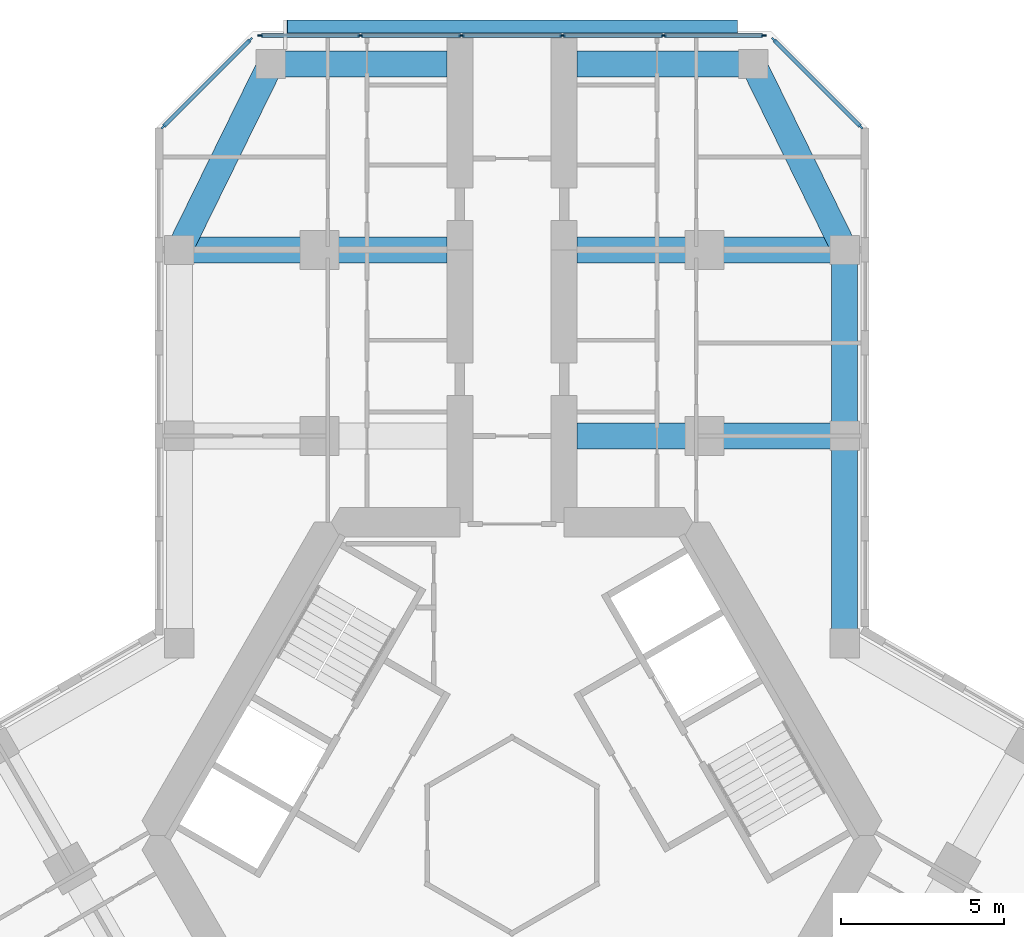
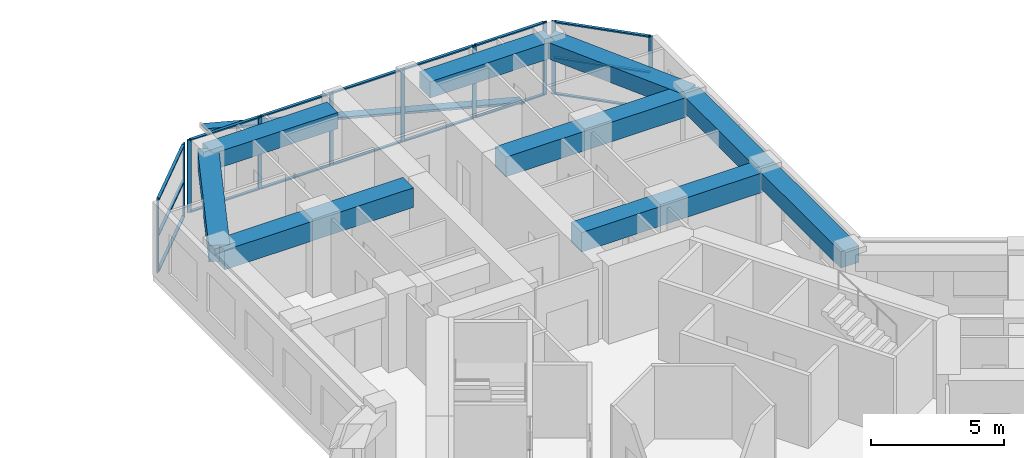
# One storey, part 7 of 20: 27 members, 9 beams, 3 elements without a shape of their own.
"""IFC4 building model written with IfcOpenShell, lengths in metres."""

from ifc_helpers import new_model, si_unit, direction, frame, origin, origin_2d, place, context, subcontext, project, spatial, rectangle, extrude, material, material_profile, profile_set, type_object, element, aggregate, save


model = new_model("IFC4")

# Units and contexts
model_context = context("Model", 3, precision=1e-05, world=origin(), true_north=direction((0.0, 1.0)))
body_context = subcontext(model_context, "Body", "Model", "MODEL_VIEW")
ifc_project = project(units=[si_unit("LENGTHUNIT", "METRE"), si_unit("AREAUNIT", "SQUARE_METRE"), si_unit("VOLUMEUNIT", "CUBIC_METRE"), si_unit("PLANEANGLEUNIT", "RADIAN"), si_unit("MASSUNIT", "GRAM", prefix="KILO")], contexts=[model_context])

# Site, building, storey
site_placement = place(None, origin())
site = spatial("IfcSite", under=ifc_project, at=site_placement, CompositionType="ELEMENT")
building_placement = place(site_placement, origin())
building = spatial("IfcBuilding", under=site, at=building_placement, Name="Kosmar Iwan School Tower", CompositionType="ELEMENT")
storey_placement = place(building_placement, frame((0.0, 0.0, 176.0)))
storey = spatial("IfcBuildingStorey", under=building, at=storey_placement, Name="L44", CompositionType="ELEMENT", Elevation=176.0)

# Member
ifc_material_1 = material(Name="Black anodised aluminium", Category="aluminium")
ifc_material_profile_1 = material_profile(ifc_material_1, rectangle(XDim=0.10009765625, YDim=0.39990234375, at=origin_2d()), Name="FIN 100x400")
ifc_profile_set_1 = profile_set([ifc_material_profile_1], Name="Black anodised aluminium")
member_type_1 = type_object("IfcMemberType", Name="Diagonal fin 100x400", PredefinedType="USERDEFINED", material=ifc_profile_set_1)
member_1_placement = place(storey_placement, frame((6.898193359375, 24.800048828125, -0.14990234375), z_axis=(-0.967603633438, 0.0, 0.252474174041), x_axis=(0.252474174041, 0.0, 0.967603633438)))
element("IfcMember", 1, at=member_1_placement, inside=storey, type_object=member_type_1, Name="Diagonal fin L44-F08", ObjectType="FIN", PredefinedType="USERDEFINED", context=body_context, shape_type="SweptSolid", body=[
    extrude(rectangle(XDim=0.10009765625, YDim=0.39990234375, at=origin_2d()), origin(), (0.0, 0.0, 1.0), 14.25830078125),
])

# Curtain wall, members
ifc_material_2 = material(Name="Dark glass in black aluminium frame", Category="aluminium")
curtain_wall_type_1 = type_object("IfcCurtainWallType", Name="Chamfer curtain wall dark glass", PredefinedType="USERDEFINED", material=ifc_material_2)
curtain_wall_1_placement = place(storey_placement, origin())
curtain_wall_1 = element("IfcCurtainWall", 2, at=curtain_wall_1_placement, inside=storey, type_object=curtain_wall_type_1, Name="Curtain wall L44-F07", ObjectType="FACETED CURTAIN WALL", PredefinedType="USERDEFINED")
ifc_material_3 = material(Name="Black anodised aluminium", Category="aluminium")
ifc_material_profile_2 = material_profile(ifc_material_3, rectangle(XDim=0.06005859375, YDim=0.159912109375, at=origin_2d()), Name="MULLION 60x160")
ifc_profile_set_2 = profile_set([ifc_material_profile_2], Name="Black anodised aluminium")
member_type_2 = type_object("IfcMemberType", Name="Mullion 60x160", PredefinedType="MULLION", material=ifc_profile_set_2)
member_2_placement = place(storey_placement, frame((10.69775390625, 21.7255859375, 0.0), z_axis=(0.0, 0.0, 1.0), x_axis=(-0.707106781187, -0.707106781187, 0.0)))
member_2 = element("IfcMember", 3, at=member_2_placement, type_object=member_type_2, Name="CW2 mullion 1", PredefinedType="MULLION", context=body_context, shape_type="SweptSolid", body=[
    extrude(rectangle(XDim=0.06005859375, YDim=0.159912109375, at=origin_2d()), origin(), (0.0, 0.0, 1.0), 3.35009765625),
])
member_3_placement = place(storey_placement, frame((8.025390625, 24.397705078125, 0.0), z_axis=(0.0, 0.0, 1.0), x_axis=(-0.707106781187, -0.707106781187, 0.0)))
member_3 = element("IfcMember", 4, at=member_3_placement, type_object=member_type_2, Name="CW2 mullion 2", PredefinedType="MULLION", context=body_context, shape_type="SweptSolid", body=[
    extrude(rectangle(XDim=0.06005859375, YDim=0.159912109375, at=origin_2d()), origin(), (0.0, 0.0, 1.0), 3.35009765625),
])

ifc_material_4 = material(Name="Dark glass in black aluminium frame", Category="aluminium")
curtain_wall_type_2 = type_object("IfcCurtainWallType", Name="Tower curtain wall dark glass", PredefinedType="USERDEFINED", material=ifc_material_4)
curtain_wall_2_placement = place(storey_placement, origin())
curtain_wall_2 = element("IfcCurtainWall", 5, at=curtain_wall_2_placement, inside=storey, type_object=curtain_wall_type_2, Name="Curtain wall L44-F08", ObjectType="UNITISED CURTAIN WALL", PredefinedType="USERDEFINED")
member_4_placement = place(storey_placement, frame((7.71826171875, 24.52490234375, 0.0), z_axis=(0.0, 0.0, 1.0), x_axis=(0.0, -1.0, 0.0)))
member_4 = element("IfcMember", 6, at=member_4_placement, type_object=member_type_2, Name="CW1 mullion 1", PredefinedType="MULLION", context=body_context, shape_type="SweptSolid", body=[
    extrude(rectangle(XDim=0.06005859375, YDim=0.159912109375, at=origin_2d()), origin(), (0.0, 0.0, 1.0), 3.35009765625),
])
member_5_placement = place(storey_placement, frame((4.64892578125, 24.52490234375, 0.0), z_axis=(0.0, 0.0, 1.0), x_axis=(0.0, -1.0, 0.0)))
member_5 = element("IfcMember", 7, at=member_5_placement, type_object=member_type_2, Name="CW1 mullion 2", PredefinedType="MULLION", context=body_context, shape_type="SweptSolid", body=[
    extrude(rectangle(XDim=0.06005859375, YDim=0.159912109375, at=origin_2d()), origin(), (0.0, 0.0, 1.0), 3.35009765625),
])
member_6_placement = place(storey_placement, frame((1.549560546875, 24.52490234375, 0.0), z_axis=(0.0, 0.0, 1.0), x_axis=(0.0, -1.0, 0.0)))
member_6 = element("IfcMember", 8, at=member_6_placement, type_object=member_type_2, Name="CW1 mullion 3", PredefinedType="MULLION", context=body_context, shape_type="SweptSolid", body=[
    extrude(rectangle(XDim=0.06005859375, YDim=0.159912109375, at=origin_2d()), origin(), (0.0, 0.0, 1.0), 3.35009765625),
])
member_7_placement = place(storey_placement, frame((-1.549560546875, 24.52490234375, 0.0), z_axis=(0.0, 0.0, 1.0), x_axis=(0.0, -1.0, 0.0)))
member_7 = element("IfcMember", 9, at=member_7_placement, type_object=member_type_2, Name="CW1 mullion 4", PredefinedType="MULLION", context=body_context, shape_type="SweptSolid", body=[
    extrude(rectangle(XDim=0.06005859375, YDim=0.159912109375, at=origin_2d()), origin(), (0.0, 0.0, 1.0), 3.35009765625),
])
member_8_placement = place(storey_placement, frame((-4.64892578125, 24.52490234375, 0.0), z_axis=(0.0, 0.0, 1.0), x_axis=(0.0, -1.0, 0.0)))
member_8 = element("IfcMember", 10, at=member_8_placement, type_object=member_type_2, Name="CW1 mullion 5", PredefinedType="MULLION", context=body_context, shape_type="SweptSolid", body=[
    extrude(rectangle(XDim=0.06005859375, YDim=0.159912109375, at=origin_2d()), origin(), (0.0, 0.0, 1.0), 3.35009765625),
])
member_9_placement = place(storey_placement, frame((-7.71826171875, 24.52490234375, 0.0), z_axis=(0.0, 0.0, 1.0), x_axis=(0.0, -1.0, 0.0)))
member_9 = element("IfcMember", 11, at=member_9_placement, type_object=member_type_2, Name="CW1 mullion 6", PredefinedType="MULLION", context=body_context, shape_type="SweptSolid", body=[
    extrude(rectangle(XDim=0.06005859375, YDim=0.159912109375, at=origin_2d()), origin(), (0.0, 0.0, 1.0), 3.35009765625),
])

curtain_wall_3_placement = place(storey_placement, origin())
curtain_wall_3 = element("IfcCurtainWall", 12, at=curtain_wall_3_placement, inside=storey, type_object=curtain_wall_type_1, Name="Curtain wall L44-F09", ObjectType="FACETED CURTAIN WALL", PredefinedType="USERDEFINED")
member_10_placement = place(storey_placement, frame((-8.025390625, 24.397705078125, 0.0), z_axis=(0.0, 0.0, 1.0), x_axis=(0.707106781187, -0.707106781187, 0.0)))
member_10 = element("IfcMember", 13, at=member_10_placement, type_object=member_type_2, Name="CW2 mullion 1", PredefinedType="MULLION", context=body_context, shape_type="SweptSolid", body=[
    extrude(rectangle(XDim=0.06005859375, YDim=0.159912109375, at=origin_2d()), origin(), (0.0, 0.0, 1.0), 3.35009765625),
])
member_11_placement = place(storey_placement, frame((-10.69775390625, 21.7255859375, 0.0), z_axis=(0.0, 0.0, 1.0), x_axis=(0.707106781187, -0.707106781187, 0.0)))
member_11 = element("IfcMember", 14, at=member_11_placement, type_object=member_type_2, Name="CW2 mullion 2", PredefinedType="MULLION", context=body_context, shape_type="SweptSolid", body=[
    extrude(rectangle(XDim=0.06005859375, YDim=0.159912109375, at=origin_2d()), origin(), (0.0, 0.0, 1.0), 3.35009765625),
])

# Beams
ifc_material_5 = material(Name="Concrete C50/60", Category="concrete")
ifc_material_profile_3 = material_profile(ifc_material_5, rectangle(XDim=0.800048828125, YDim=0.75, at=origin_2d()), Name="RC 800x750")
ifc_profile_set_3 = profile_set([ifc_material_profile_3], Name="Concrete C50/60")
beam_type_1 = type_object("IfcBeamType", Name="RC edge beam 800x750", PredefinedType="BEAM", material=ifc_profile_set_3)
beam_1_placement = place(storey_placement, frame((10.199951171875, 5.888916015625, 2.97509765625), z_axis=(0.0, 1.0, 0.0), x_axis=(-1.0, 0.0, 0.0)))
element("IfcBeam", 15, at=beam_1_placement, inside=storey, type_object=beam_type_1, Name="Edge beam AR1", PredefinedType="BEAM", context=body_context, shape_type="SweptSolid", body=[
    extrude(rectangle(XDim=0.800048828125, YDim=0.75, at=origin_2d()), origin(), (0.0, 0.0, 1.0), 6.361083984375),
])
beam_2_placement = place(storey_placement, frame((10.199951171875, 12.25, 2.97509765625), z_axis=(0.0, 1.0, 0.0), x_axis=(-1.0, 0.0, 0.0)))
element("IfcBeam", 16, at=beam_2_placement, inside=storey, type_object=beam_type_1, Name="Edge beam AR2", PredefinedType="BEAM", context=body_context, shape_type="SweptSolid", body=[
    extrude(rectangle(XDim=0.800048828125, YDim=0.75, at=origin_2d()), origin(), (0.0, 0.0, 1.0), 5.699951171875),
])
ifc_material_6 = material(Name="Concrete C50/60", Category="concrete")
ifc_material_profile_4 = material_profile(ifc_material_6, rectangle(XDim=0.800048828125, YDim=0.75, at=origin_2d()), Name="RC 800x750")
ifc_profile_set_4 = profile_set([ifc_material_profile_4], Name="Concrete C50/60")
beam_type_2 = type_object("IfcBeamType", Name="RC tip beam 800x750", PredefinedType="BEAM", material=ifc_profile_set_4)
beam_3_placement = place(storey_placement, frame((-10.199951171875, 17.949951171875, 2.97509765625), z_axis=(0.440913116462, 0.897549788999, 0.0), x_axis=(-0.897549788999, 0.440913116462, 0.0)))
element("IfcBeam", 17, at=beam_3_placement, inside=storey, type_object=beam_type_2, Name="Tip beam AL", PredefinedType="BEAM", context=body_context, shape_type="SweptSolid", body=[
    extrude(rectangle(XDim=0.800048828125, YDim=0.75, at=origin_2d()), origin(), (0.0, 0.0, 1.0), 6.3505859375),
])
beam_4_placement = place(storey_placement, frame((-7.39990234375, 23.64990234375, 2.97509765625), z_axis=(1.0, 0.0, 0.0), x_axis=(0.0, 1.0, 0.0)))
element("IfcBeam", 18, at=beam_4_placement, inside=storey, type_object=beam_type_2, Name="Tip beam AL to corridor wall", PredefinedType="BEAM", context=body_context, shape_type="SweptSolid", body=[
    extrude(rectangle(XDim=0.800048828125, YDim=0.75, at=origin_2d()), origin(), (0.0, 0.0, 1.0), 5.39990234375),
])
beam_5_placement = place(storey_placement, frame((10.199951171875, 17.949951171875, 2.97509765625), z_axis=(-0.440913116462, 0.897549788999, 0.0), x_axis=(-0.897549788999, -0.440913116462, 0.0)))
element("IfcBeam", 19, at=beam_5_placement, inside=storey, type_object=beam_type_2, Name="Tip beam AR", PredefinedType="BEAM", context=body_context, shape_type="SweptSolid", body=[
    extrude(rectangle(XDim=0.800048828125, YDim=0.75, at=origin_2d()), origin(), (0.0, 0.0, 1.0), 6.3505859375),
])
beam_6_placement = place(storey_placement, frame((7.39990234375, 23.64990234375, 2.97509765625), z_axis=(-1.0, 0.0, 0.0), x_axis=(0.0, -1.0, 0.0)))
element("IfcBeam", 20, at=beam_6_placement, inside=storey, type_object=beam_type_2, Name="Tip beam AR to corridor wall", PredefinedType="BEAM", context=body_context, shape_type="SweptSolid", body=[
    extrude(rectangle(XDim=0.800048828125, YDim=0.75, at=origin_2d()), origin(), (0.0, 0.0, 1.0), 5.39990234375),
])
ifc_material_7 = material(Name="Concrete C50/60", Category="concrete")
ifc_material_profile_5 = material_profile(ifc_material_7, rectangle(XDim=0.800048828125, YDim=0.89990234375, at=origin_2d()), Name="RC 800x900")
ifc_profile_set_5 = profile_set([ifc_material_profile_5], Name="Concrete C50/60")
beam_type_3 = type_object("IfcBeamType", Name="RC transverse beam 800x900", PredefinedType="BEAM", material=ifc_profile_set_5)
for number, where, z_axis, x_axis, name in (
    (21, (-10.199951171875, 17.949951171875, 2.89990234375), (1.0, 0.0, 0.0), (0.0, 1.0, 0.0), "Transverse beam AL2"),
    (22, (10.199951171875, 12.25, 2.89990234375), (-1.0, 0.0, 0.0), (0.0, -1.0, 0.0), "Transverse beam AR1"),
    (23, (10.199951171875, 17.949951171875, 2.89990234375), (-1.0, 0.0, 0.0), (0.0, -1.0, 0.0), "Transverse beam AR2"),
):
    element("IfcBeam", number, at=place(storey_placement, frame(where, z_axis=z_axis, x_axis=x_axis)), inside=storey, type_object=beam_type_3, Name=name, PredefinedType="BEAM", context=body_context, shape_type="SweptSolid", body=[
        extrude(rectangle(XDim=0.800048828125, YDim=0.89990234375, at=origin_2d()), origin(), (0.0, 0.0, 1.0), 8.199951171875),
    ])

# Member
ifc_material_8 = material(Name="Black anodised aluminium", Category="aluminium")
ifc_material_profile_6 = material_profile(ifc_material_8, rectangle(XDim=0.1201171875, YDim=0.06005859375, at=origin_2d()), Name="TRANSOM 60x120")
ifc_profile_set_6 = profile_set([ifc_material_profile_6], Name="Black anodised aluminium")
member_type_3 = type_object("IfcMemberType", Name="Transom 60x120", PredefinedType="USERDEFINED", material=ifc_profile_set_6)
member_12_placement = place(storey_placement, frame((10.676513671875, 21.746826171875, 0.030029296875), z_axis=(-0.707139603466, 0.707073957383, 0.0), x_axis=(-0.707073957383, -0.707139603466, 0.0)))
member_12 = element("IfcMember", 24, at=member_12_placement, type_object=member_type_3, Name="CW2 transom 1.1", ObjectType="TRANSOM", PredefinedType="USERDEFINED", context=body_context, shape_type="SweptSolid", body=[
    extrude(rectangle(XDim=0.1201171875, YDim=0.06005859375, at=origin_2d()), origin(), (0.0, 0.0, 1.0), 3.718994140625),
])

member_13_placement = place(storey_placement, frame((10.676513671875, 21.746826171875, 1.675048828125), z_axis=(-0.707139603466, 0.707073957383, 0.0), x_axis=(-0.707073957383, -0.707139603466, 0.0)))
member_13 = element("IfcMember", 25, at=member_13_placement, type_object=member_type_3, Name="CW2 transom 1.2", ObjectType="TRANSOM", PredefinedType="USERDEFINED", context=body_context, shape_type="SweptSolid", body=[
    extrude(rectangle(XDim=0.1201171875, YDim=0.06005859375, at=origin_2d()), origin(), (0.0, 0.0, 1.0), 3.718994140625),
])

member_14_placement = place(storey_placement, frame((10.676513671875, 21.746826171875, 3.320068359375), z_axis=(-0.707139603466, 0.707073957383, 0.0), x_axis=(-0.707073957383, -0.707139603466, 0.0)))
member_14 = element("IfcMember", 26, at=member_14_placement, type_object=member_type_3, Name="CW2 transom 1.3", ObjectType="TRANSOM", PredefinedType="USERDEFINED", context=body_context, shape_type="SweptSolid", body=[
    extrude(rectangle(XDim=0.1201171875, YDim=0.06005859375, at=origin_2d()), origin(), (0.0, 0.0, 1.0), 3.718994140625),
])

aggregate(curtain_wall_1, [member_2, member_3, member_12, member_13, member_14])

member_15_placement = place(storey_placement, frame((7.688232421875, 24.52490234375, 0.030029296875), z_axis=(-1.0, 0.0, 0.0), x_axis=(0.0, -1.0, 0.0)))
member_15 = element("IfcMember", 27, at=member_15_placement, type_object=member_type_3, Name="CW1 transom 1.1", ObjectType="TRANSOM", PredefinedType="USERDEFINED", context=body_context, shape_type="SweptSolid", body=[
    extrude(rectangle(XDim=0.1201171875, YDim=0.06005859375, at=origin_2d()), origin(), (0.0, 0.0, 1.0), 3.00927734375),
])

member_16_placement = place(storey_placement, frame((7.688232421875, 24.52490234375, 3.320068359375), z_axis=(-1.0, 0.0, 0.0), x_axis=(0.0, -1.0, 0.0)))
member_16 = element("IfcMember", 28, at=member_16_placement, type_object=member_type_3, Name="CW1 transom 1.2", ObjectType="TRANSOM", PredefinedType="USERDEFINED", context=body_context, shape_type="SweptSolid", body=[
    extrude(rectangle(XDim=0.1201171875, YDim=0.06005859375, at=origin_2d()), origin(), (0.0, 0.0, 1.0), 3.00927734375),
])

member_17_placement = place(storey_placement, frame((4.618896484375, 24.52490234375, 0.030029296875), z_axis=(-1.0, 0.0, 0.0), x_axis=(0.0, -1.0, 0.0)))
member_17 = element("IfcMember", 29, at=member_17_placement, type_object=member_type_3, Name="CW1 transom 2.1", ObjectType="TRANSOM", PredefinedType="USERDEFINED", context=body_context, shape_type="SweptSolid", body=[
    extrude(rectangle(XDim=0.1201171875, YDim=0.06005859375, at=origin_2d()), origin(), (0.0, 0.0, 1.0), 3.039306640625),
])

member_18_placement = place(storey_placement, frame((4.618896484375, 24.52490234375, 3.320068359375), z_axis=(-1.0, 0.0, 0.0), x_axis=(0.0, -1.0, 0.0)))
member_18 = element("IfcMember", 30, at=member_18_placement, type_object=member_type_3, Name="CW1 transom 2.2", ObjectType="TRANSOM", PredefinedType="USERDEFINED", context=body_context, shape_type="SweptSolid", body=[
    extrude(rectangle(XDim=0.1201171875, YDim=0.06005859375, at=origin_2d()), origin(), (0.0, 0.0, 1.0), 3.039306640625),
])

member_19_placement = place(storey_placement, frame((1.51953125, 24.52490234375, 0.030029296875), z_axis=(-1.0, 0.0, 0.0), x_axis=(0.0, -1.0, 0.0)))
member_19 = element("IfcMember", 31, at=member_19_placement, type_object=member_type_3, Name="CW1 transom 3.1", ObjectType="TRANSOM", PredefinedType="USERDEFINED", context=body_context, shape_type="SweptSolid", body=[
    extrude(rectangle(XDim=0.1201171875, YDim=0.06005859375, at=origin_2d()), origin(), (0.0, 0.0, 1.0), 3.0390625),
])

member_20_placement = place(storey_placement, frame((1.51953125, 24.52490234375, 3.320068359375), z_axis=(-1.0, 0.0, 0.0), x_axis=(0.0, -1.0, 0.0)))
member_20 = element("IfcMember", 32, at=member_20_placement, type_object=member_type_3, Name="CW1 transom 3.2", ObjectType="TRANSOM", PredefinedType="USERDEFINED", context=body_context, shape_type="SweptSolid", body=[
    extrude(rectangle(XDim=0.1201171875, YDim=0.06005859375, at=origin_2d()), origin(), (0.0, 0.0, 1.0), 3.0390625),
])

member_21_placement = place(storey_placement, frame((-1.57958984375, 24.52490234375, 0.030029296875), z_axis=(-1.0, 0.0, 0.0), x_axis=(0.0, -1.0, 0.0)))
member_21 = element("IfcMember", 33, at=member_21_placement, type_object=member_type_3, Name="CW1 transom 4.1", ObjectType="TRANSOM", PredefinedType="USERDEFINED", context=body_context, shape_type="SweptSolid", body=[
    extrude(rectangle(XDim=0.1201171875, YDim=0.06005859375, at=origin_2d()), origin(), (0.0, 0.0, 1.0), 3.039306640625),
])

member_22_placement = place(storey_placement, frame((-1.57958984375, 24.52490234375, 3.320068359375), z_axis=(-1.0, 0.0, 0.0), x_axis=(0.0, -1.0, 0.0)))
member_22 = element("IfcMember", 34, at=member_22_placement, type_object=member_type_3, Name="CW1 transom 4.2", ObjectType="TRANSOM", PredefinedType="USERDEFINED", context=body_context, shape_type="SweptSolid", body=[
    extrude(rectangle(XDim=0.1201171875, YDim=0.06005859375, at=origin_2d()), origin(), (0.0, 0.0, 1.0), 3.039306640625),
])

member_23_placement = place(storey_placement, frame((-4.678955078125, 24.52490234375, 0.030029296875), z_axis=(-1.0, 0.0, 0.0), x_axis=(0.0, -1.0, 0.0)))
member_23 = element("IfcMember", 35, at=member_23_placement, type_object=member_type_3, Name="CW1 transom 5.1", ObjectType="TRANSOM", PredefinedType="USERDEFINED", context=body_context, shape_type="SweptSolid", body=[
    extrude(rectangle(XDim=0.1201171875, YDim=0.06005859375, at=origin_2d()), origin(), (0.0, 0.0, 1.0), 3.00927734375),
])

member_24_placement = place(storey_placement, frame((-4.678955078125, 24.52490234375, 3.320068359375), z_axis=(-1.0, 0.0, 0.0), x_axis=(0.0, -1.0, 0.0)))
member_24 = element("IfcMember", 36, at=member_24_placement, type_object=member_type_3, Name="CW1 transom 5.2", ObjectType="TRANSOM", PredefinedType="USERDEFINED", context=body_context, shape_type="SweptSolid", body=[
    extrude(rectangle(XDim=0.1201171875, YDim=0.06005859375, at=origin_2d()), origin(), (0.0, 0.0, 1.0), 3.00927734375),
])

aggregate(curtain_wall_2, [member_4, member_5, member_6, member_7, member_8, member_9, member_15, member_16, member_17, member_18, member_19, member_20, member_21, member_22, member_23, member_24])

member_25_placement = place(storey_placement, frame((-8.046630859375, 24.37646484375, 0.030029296875), z_axis=(-0.707139603466, -0.707073957383, 0.0), x_axis=(0.707073957383, -0.707139603466, 0.0)))
member_25 = element("IfcMember", 37, at=member_25_placement, type_object=member_type_3, Name="CW2 transom 1.1", ObjectType="TRANSOM", PredefinedType="USERDEFINED", context=body_context, shape_type="SweptSolid", body=[
    extrude(rectangle(XDim=0.1201171875, YDim=0.06005859375, at=origin_2d()), origin(), (0.0, 0.0, 1.0), 3.718994140625),
])

member_26_placement = place(storey_placement, frame((-8.046630859375, 24.37646484375, 1.675048828125), z_axis=(-0.707139603466, -0.707073957383, 0.0), x_axis=(0.707073957383, -0.707139603466, 0.0)))
member_26 = element("IfcMember", 38, at=member_26_placement, type_object=member_type_3, Name="CW2 transom 1.2", ObjectType="TRANSOM", PredefinedType="USERDEFINED", context=body_context, shape_type="SweptSolid", body=[
    extrude(rectangle(XDim=0.1201171875, YDim=0.06005859375, at=origin_2d()), origin(), (0.0, 0.0, 1.0), 3.718994140625),
])

member_27_placement = place(storey_placement, frame((-8.046630859375, 24.37646484375, 3.320068359375), z_axis=(-0.707139603466, -0.707073957383, 0.0), x_axis=(0.707073957383, -0.707139603466, 0.0)))
member_27 = element("IfcMember", 39, at=member_27_placement, type_object=member_type_3, Name="CW2 transom 1.3", ObjectType="TRANSOM", PredefinedType="USERDEFINED", context=body_context, shape_type="SweptSolid", body=[
    extrude(rectangle(XDim=0.1201171875, YDim=0.06005859375, at=origin_2d()), origin(), (0.0, 0.0, 1.0), 3.718994140625),
])

aggregate(curtain_wall_3, [member_10, member_11, member_25, member_26, member_27])

save(model, "model.ifc")
